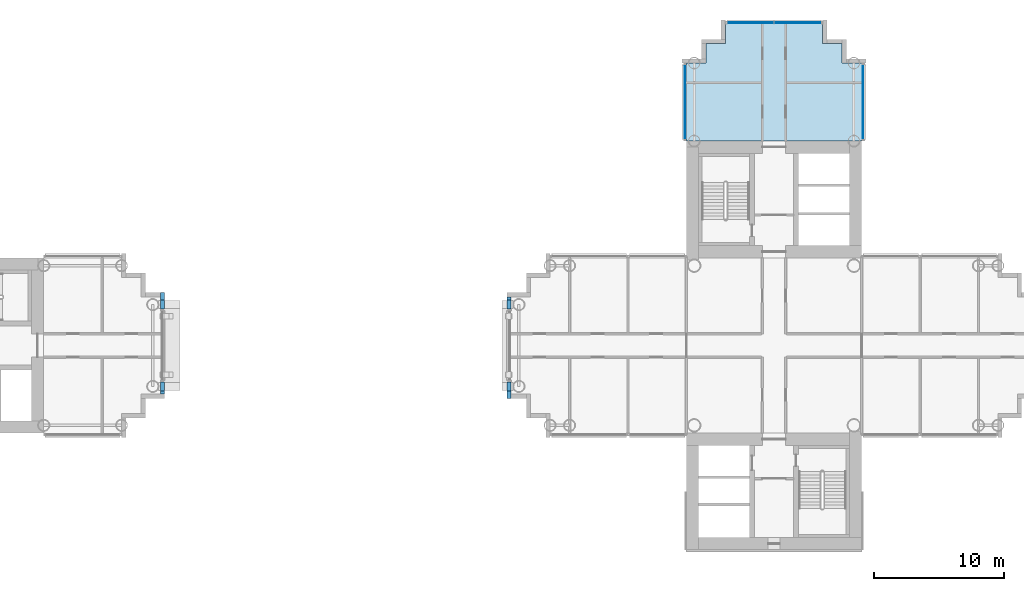
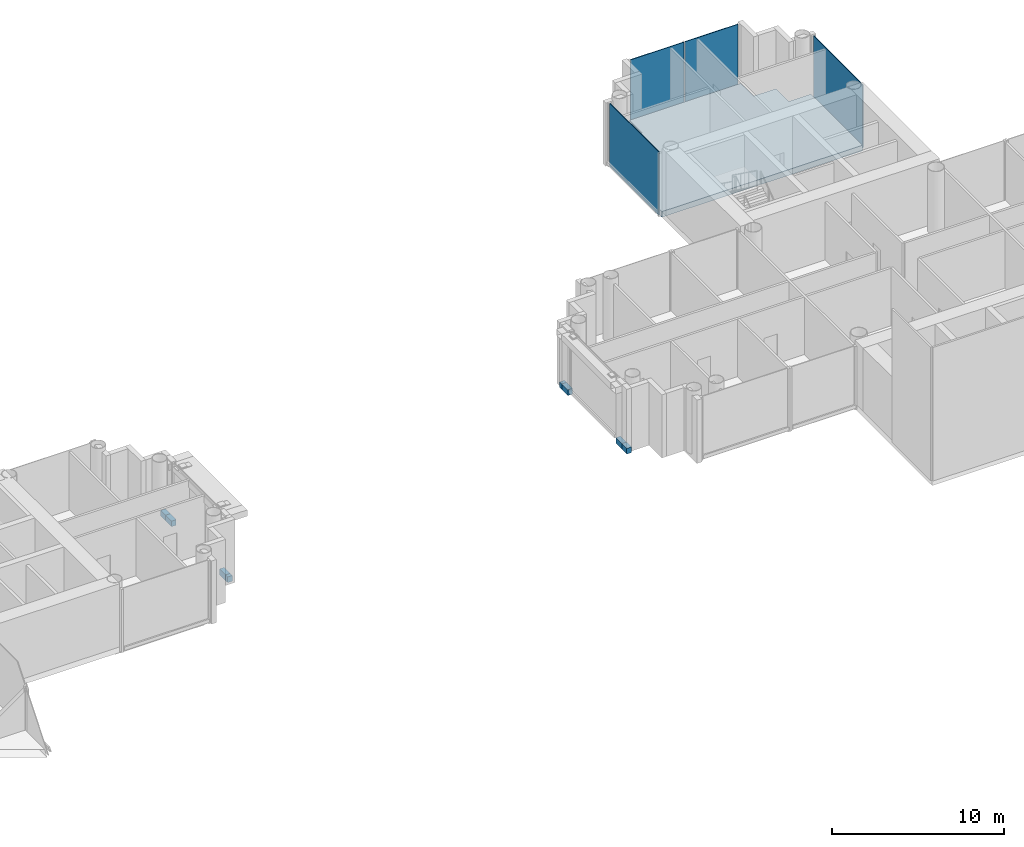
# One storey, part 9 of 20: 9 slabs, 4 plates, 3 elements without a shape of their own.
"""IFC4 building model written with IfcOpenShell, lengths in metres."""

from ifc_helpers import new_model, si_unit, direction, frame, origin, origin_2d, place, context, subcontext, project, spatial, polyline, rectangle, outline, extrude, material, layer, layer_set, type_object, element, aggregate, save


model = new_model("IFC4")

# Units and contexts
model_context = context("Model", 3, precision=1e-05, world=origin(), true_north=direction((0.0, 1.0)))
body_context = subcontext(model_context, "Body", "Model", "MODEL_VIEW")
ifc_project = project(units=[si_unit("LENGTHUNIT", "METRE"), si_unit("AREAUNIT", "SQUARE_METRE"), si_unit("VOLUMEUNIT", "CUBIC_METRE"), si_unit("PLANEANGLEUNIT", "RADIAN"), si_unit("MASSUNIT", "GRAM", prefix="KILO")], contexts=[model_context])

# Site, building, storey
site_placement = place(None, origin())
site = spatial("IfcSite", under=ifc_project, at=site_placement, CompositionType="ELEMENT")
building_placement = place(site_placement, origin())
building = spatial("IfcBuilding", under=site, at=building_placement, Name="Ipe Terrace Towers", CompositionType="ELEMENT")
storey_placement = place(building_placement, frame((0.0, 0.0, 124.199951171875)))
storey = spatial("IfcBuildingStorey", under=building, at=storey_placement, Name="L34", CompositionType="ELEMENT", Elevation=124.199951171875)

# Slabs
ifc_material_1 = material(Name="Concrete C40/50", Category="concrete")
ifc_layer_1 = layer(ifc_material_1, 0.39990234375)
ifc_layer_set_1 = layer_set([ifc_layer_1], Name="FLAT PLATE SLAB 400 C40-50")
slab_type = type_object("IfcSlabType", Name="FLAT PLATE SLAB 400 C40-50", PredefinedType="FLOOR", material=ifc_layer_set_1)
slab_1_placement = place(storey_placement, frame((0.0, 0.0, -0.39990234375)))
element("IfcSlab", 1, at=slab_1_placement, inside=storey, type_object=slab_type, Name="Slab T2-FS-Z22", PredefinedType="FLOOR", context=body_context, shape_type="SweptSolid", body=[
    extrude(outline(polyline([(30.75, 21.75), (30.75, 23.25), (32.25, 23.25), (32.25, 24.75), (39.75, 24.75), (39.75, 23.25), (41.25, 23.25), (41.25, 21.75), (42.75, 21.75), (42.75, 15.75), (29.25, 15.75), (29.25, 21.75), (30.75, 21.75)])), origin(), (0.0, 0.0, 1.0), 0.39990234375),
])
slab_2_placement = place(storey_placement, frame((0.0, 0.0, -0.39990234375)))
element("IfcSlab", 2, at=slab_2_placement, inside=storey, type_object=slab_type, Name="Slab ledge", PredefinedType="FLOOR", context=body_context, shape_type="SweptSolid", body=[
    extrude(outline(polyline([(-11.25, -3.75), (-11.25, -3.5), (-10.929931640625, -3.5), (-10.929931640625, -3.75), (-11.25, -3.75)])), origin(), (0.0, 0.0, 1.0), 0.39990234375),
])
slab_3_placement = place(storey_placement, frame((0.0, 0.0, -0.39990234375)))
element("IfcSlab", 3, at=slab_3_placement, inside=storey, type_object=slab_type, Name="Slab ledge", PredefinedType="FLOOR", context=body_context, shape_type="SweptSolid", body=[
    extrude(outline(polyline([(-11.25, -3.5), (-11.25, -2.800048828125), (-10.929931640625, -2.800048828125), (-10.929931640625, -3.5), (-11.25, -3.5)])), origin(), (0.0, 0.0, 1.0), 0.39990234375),
])
slab_4_placement = place(storey_placement, frame((0.0, 0.0, -0.39990234375)))
element("IfcSlab", 4, at=slab_4_placement, inside=storey, type_object=slab_type, Name="Slab ledge", PredefinedType="FLOOR", context=body_context, shape_type="SweptSolid", body=[
    extrude(outline(polyline([(-11.25, 2.800048828125), (-11.25, 3.5), (-10.929931640625, 3.5), (-10.929931640625, 2.800048828125), (-11.25, 2.800048828125)])), origin(), (0.0, 0.0, 1.0), 0.39990234375),
])
slab_5_placement = place(storey_placement, frame((0.0, 0.0, -0.39990234375)))
element("IfcSlab", 5, at=slab_5_placement, inside=storey, type_object=slab_type, Name="Slab ledge", PredefinedType="FLOOR", context=body_context, shape_type="SweptSolid", body=[
    extrude(outline(polyline([(-11.25, 3.5), (-11.25, 4.070068359375), (-10.929931640625, 4.070068359375), (-10.929931640625, 3.5), (-11.25, 3.5)])), origin(), (0.0, 0.0, 1.0), 0.39990234375),
])
slab_6_placement = place(storey_placement, frame((0.0, 0.0, -0.39990234375)))
element("IfcSlab", 6, at=slab_6_placement, inside=storey, type_object=slab_type, Name="Slab ledge", PredefinedType="FLOOR", context=body_context, shape_type="SweptSolid", body=[
    extrude(outline(polyline([(15.75, 3.75), (15.75, 3.5), (15.429931640625, 3.5), (15.429931640625, 3.75), (15.75, 3.75)])), origin(), (0.0, 0.0, 1.0), 0.39990234375),
])
slab_7_placement = place(storey_placement, frame((0.0, 0.0, -0.39990234375)))
element("IfcSlab", 7, at=slab_7_placement, inside=storey, type_object=slab_type, Name="Slab ledge", PredefinedType="FLOOR", context=body_context, shape_type="SweptSolid", body=[
    extrude(outline(polyline([(15.75, 3.5), (15.75, 2.800048828125), (15.429931640625, 2.800048828125), (15.429931640625, 3.5), (15.75, 3.5)])), origin(), (0.0, 0.0, 1.0), 0.39990234375),
])
slab_8_placement = place(storey_placement, frame((0.0, 0.0, -0.39990234375)))
element("IfcSlab", 8, at=slab_8_placement, inside=storey, type_object=slab_type, Name="Slab ledge", PredefinedType="FLOOR", context=body_context, shape_type="SweptSolid", body=[
    extrude(outline(polyline([(15.75, -2.800048828125), (15.75, -3.5), (15.429931640625, -3.5), (15.429931640625, -2.800048828125), (15.75, -2.800048828125)])), origin(), (0.0, 0.0, 1.0), 0.39990234375),
])
slab_9_placement = place(storey_placement, frame((0.0, 0.0, -0.39990234375)))
element("IfcSlab", 9, at=slab_9_placement, inside=storey, type_object=slab_type, Name="Slab ledge", PredefinedType="FLOOR", context=body_context, shape_type="SweptSolid", body=[
    extrude(outline(polyline([(15.75, -3.5), (15.75, -4.070068359375), (15.429931640625, -4.070068359375), (15.429931640625, -3.5), (15.75, -3.5)])), origin(), (0.0, 0.0, 1.0), 0.39990234375),
])

# Curtain wall, plate
ifc_material_2 = material(Name="Aluminium alloy 6063-T6", Category="aluminium")
ifc_layer_2 = layer(ifc_material_2, 0.320068359375)
ifc_layer_set_2 = layer_set([ifc_layer_2], Name="PLANT LOUVRE CURTAIN WALL")
curtain_wall_type = type_object("IfcCurtainWallType", Name="PLANT LOUVRE CURTAIN WALL", PredefinedType="NOTDEFINED", material=ifc_layer_set_2)
curtain_wall_1_placement = place(storey_placement, origin())
curtain_wall_1 = element("IfcCurtainWall", 10, at=curtain_wall_1_placement, inside=storey, type_object=curtain_wall_type, Name="T2-CW-L34-16b curtain wall", PredefinedType="NOTDEFINED")
ifc_material_3 = material(Name="Aluminium alloy 6063-T6 louvre", Category="aluminium")
ifc_layer_3 = layer(ifc_material_3, 0.050048828125)
ifc_layer_set_3 = layer_set([ifc_layer_3], Name="PLANT LOUVRE LOUVRE PANEL 50")
plate_type = type_object("IfcPlateType", Name="PLANT LOUVRE LOUVRE PANEL 50", PredefinedType="CURTAIN_PANEL", material=ifc_layer_set_3)
plate_1_placement = place(storey_placement, frame((42.860107421875, 18.75048828125, -0.300048828125), z_axis=(0.0, 0.0, 1.0), x_axis=(0.0, 1.0, 0.0)))
plate_1 = element("IfcPlate", 11, at=plate_1_placement, type_object=plate_type, Name="T2-CW-L34-16b panel 1", PredefinedType="CURTAIN_PANEL", context=body_context, shape_type="SweptSolid", body=[
    extrude(rectangle(XDim=5.739013671875, YDim=0.050048828125, at=origin_2d()), origin(), (0.0, 0.0, 1.0), 4.5),
])
aggregate(curtain_wall_1, [plate_1])

# Curtain wall, plates
curtain_wall_2_placement = place(storey_placement, origin())
curtain_wall_2 = element("IfcCurtainWall", 12, at=curtain_wall_2_placement, inside=storey, type_object=curtain_wall_type, Name="T2-CW-L34-21a curtain wall", PredefinedType="NOTDEFINED")
plate_2_placement = place(storey_placement, frame((37.827392578125, 24.860107421875, -0.300048828125), z_axis=(0.0, 0.0, 1.0), x_axis=(-1.0, 0.0, 0.0)))
plate_2 = element("IfcPlate", 13, at=plate_2_placement, type_object=plate_type, Name="T2-CW-L34-21a panel 1", PredefinedType="CURTAIN_PANEL", context=body_context, shape_type="SweptSolid", body=[
    extrude(rectangle(XDim=3.5849609375, YDim=0.050048828125, at=origin_2d()), origin(), (0.0, 0.0, 1.0), 4.5),
])
plate_3_placement = place(storey_placement, frame((34.172607421875, 24.860107421875, -0.300048828125), z_axis=(0.0, 0.0, 1.0), x_axis=(-1.0, 0.0, 0.0)))
plate_3 = element("IfcPlate", 14, at=plate_3_placement, type_object=plate_type, Name="T2-CW-L34-21a panel 2", PredefinedType="CURTAIN_PANEL", context=body_context, shape_type="SweptSolid", body=[
    extrude(rectangle(XDim=3.5849609375, YDim=0.050048828125, at=origin_2d()), origin(), (0.0, 0.0, 1.0), 4.5),
])
aggregate(curtain_wall_2, [plate_2, plate_3])

# Curtain wall, plate
curtain_wall_3_placement = place(storey_placement, origin())
curtain_wall_3 = element("IfcCurtainWall", 15, at=curtain_wall_3_placement, inside=storey, type_object=curtain_wall_type, Name="T2-CW-L34-26a curtain wall", PredefinedType="NOTDEFINED")
plate_4_placement = place(storey_placement, frame((29.139892578125, 18.75048828125, -0.300048828125), z_axis=(0.0, 0.0, 1.0), x_axis=(0.0, -1.0, 0.0)))
plate_4 = element("IfcPlate", 16, at=plate_4_placement, type_object=plate_type, Name="T2-CW-L34-26a panel 1", PredefinedType="CURTAIN_PANEL", context=body_context, shape_type="SweptSolid", body=[
    extrude(rectangle(XDim=5.739013671875, YDim=0.050048828125, at=origin_2d()), origin(), (0.0, 0.0, 1.0), 4.5),
])
aggregate(curtain_wall_3, [plate_4])

save(model, "model.ifc")
